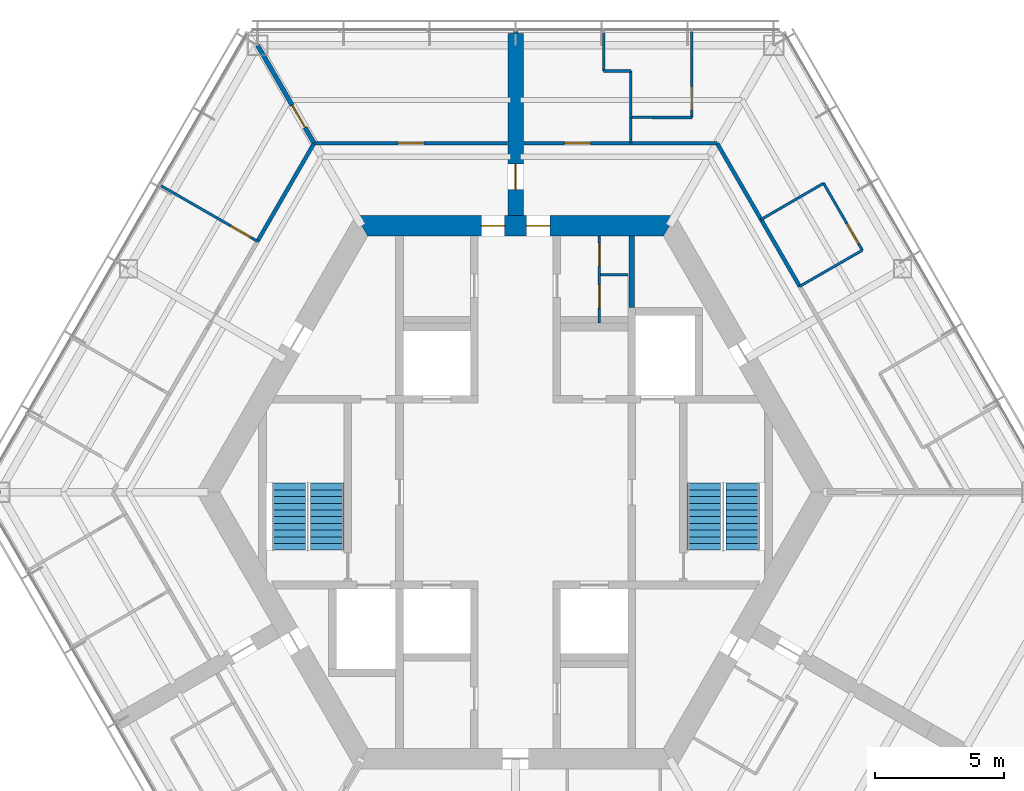
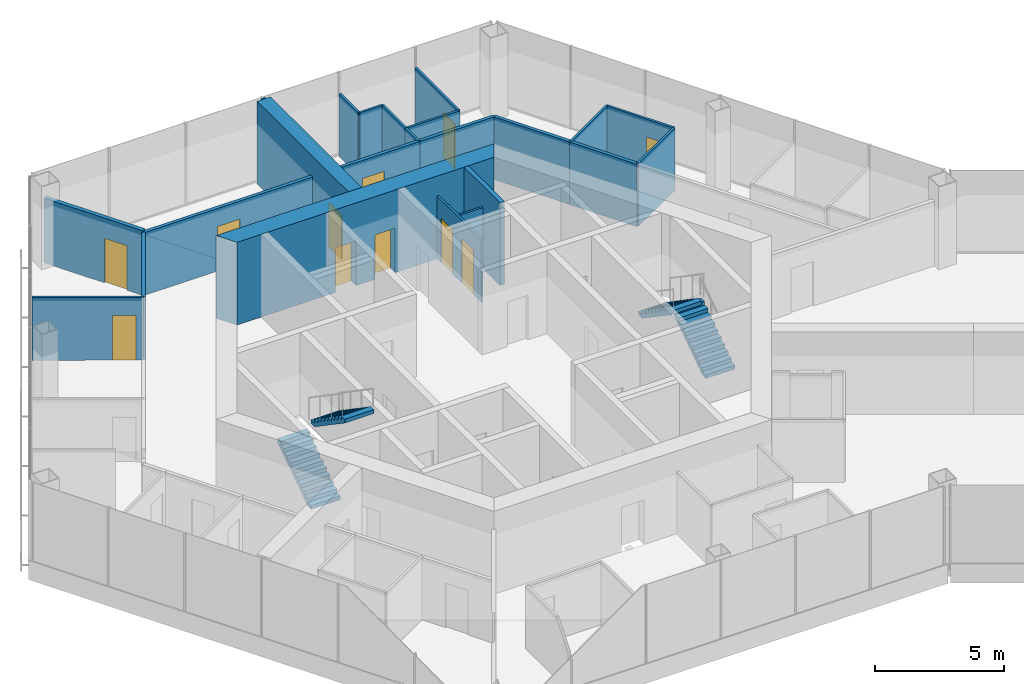
# One storey, part 14 of 17: 23 walls, 11 doors, 4 stair flights, 11 openings, 2 elements without a shape of their own.
"""IFC4 building model written with IfcOpenShell, lengths in metres."""

from ifc_helpers import new_model, si_unit, direction, frame, frame_2d, origin, place, context, subcontext, project, spatial, polyline, rectangle, outline, extrude, material, layer, layer_set, type_object, element, fill, aggregate, save


model = new_model("IFC4")

# Units and contexts
model_context = context("Model", 3, precision=1e-05, world=origin(), true_north=direction((0.0, 1.0)))
body_context = subcontext(model_context, "Body", "Model", "MODEL_VIEW")
ifc_project = project(units=[si_unit("LENGTHUNIT", "METRE"), si_unit("AREAUNIT", "SQUARE_METRE"), si_unit("VOLUMEUNIT", "CUBIC_METRE"), si_unit("PLANEANGLEUNIT", "RADIAN"), si_unit("MASSUNIT", "GRAM", prefix="KILO")], contexts=[model_context])

# Site, building, storey
site_placement = place(None, origin())
site = spatial("IfcSite", under=ifc_project, at=site_placement, CompositionType="ELEMENT")
building_placement = place(site_placement, origin())
building = spatial("IfcBuilding", under=site, at=building_placement, Name="Kasaneha Research Tower", CompositionType="ELEMENT")
storey_placement = place(building_placement, frame((0.0, 0.0, 228.39990234375)))
storey = spatial("IfcBuildingStorey", under=building, at=storey_placement, Name="L57", CompositionType="ELEMENT", Elevation=228.39990234375)

# Wall, openings, doors
ifc_material_1 = material(Name="Concrete Fc60", Category="concrete")
ifc_layer_1 = layer(ifc_material_1, 0.800048828125)
ifc_layer_set_1 = layer_set([ifc_layer_1], Name="Core wall 800 Fc60")
wall_type_1 = type_object("IfcWallType", Name="Core wall 800 Fc60", PredefinedType="SHEAR", material=ifc_layer_set_1)
wall_1_placement = place(storey_placement, frame((5.961181640625, 10.324951171875, 0.0), z_axis=(0.0, 0.0, 1.0), x_axis=(-1.0, 0.0, 0.0)))
wall_1 = element("IfcWall", 1, at=wall_1_placement, inside=storey, type_object=wall_type_1, Name="Core wall 090 L57", PredefinedType="SHEAR", context=body_context, shape_type="SweptSolid", body=[
    extrude(outline(polyline([(-0.23095703125, -0.39990234375), (4.63623046875, -0.39990234375), (5.5361328125, -0.39990234375), (6.38623046875, -0.39990234375), (7.2861328125, -0.39990234375), (12.1533203125, -0.39990234375), (11.69140625, 0.39990234375), (7.2861328125, 0.39990234375), (6.38623046875, 0.39990234375), (5.5361328125, 0.39990234375), (4.63623046875, 0.39990234375), (0.23095703125, 0.39990234375), (-0.23095703125, -0.39990234375)])), origin(), (0.0, 0.0, 1.0), 3.900146484375),
])
opening_1_placement = place(wall_1_placement, frame((6.38623046875, 0.0, 0.0)))
opening_1 = element("IfcOpeningElement", 2, at=opening_1_placement, cuts=wall_1, Name="Opening L57-D01", PredefinedType="OPENING", context=body_context, shape_type="SweptSolid", body=[
    extrude(rectangle(XDim=0.89990234375, YDim=2.10009765625, at=frame_2d((0.449951171875, 1.050048828125))), frame((0.0, 0.41015625, 0.0), z_axis=(0.0, -1.0, 0.0), x_axis=(1.0, 0.0, 0.0)), (0.0, 0.0, 1.0), 0.820068359375),
])
opening_2_placement = place(wall_1_placement, frame((4.63623046875, 0.0, 0.0)))
opening_2 = element("IfcOpeningElement", 3, at=opening_2_placement, cuts=wall_1, Name="Opening L57-D02", PredefinedType="OPENING", context=body_context, shape_type="SweptSolid", body=[
    extrude(rectangle(XDim=0.89990234375, YDim=2.10009765625, at=frame_2d((0.449951171875, 1.050048828125))), frame((0.0, 0.41015625, 0.0), z_axis=(0.0, -1.0, 0.0), x_axis=(1.0, 0.0, 0.0)), (0.0, 0.0, 1.0), 0.820068359375),
])
ifc_material_2 = material(Name="Steel", Category="steel")
door_type_1 = type_object("IfcDoorType", Name="Toilet door FD20 900x2100", OperationType="NOTDEFINED", PredefinedType="DOOR", material=ifc_material_2)
door_1_placement = place(opening_1_placement, origin())
door_1 = element("IfcDoor", 4, at=door_1_placement, inside=storey, type_object=door_type_1, Name="Core door north 1 L57-D01", OperationType="SINGLE_SWING_RIGHT", OverallHeight=2.10009765625, OverallWidth=0.89990234375, PredefinedType="DOOR", context=body_context, shape_type="SweptSolid", body=[
    extrude(rectangle(XDim=0.89990234375, YDim=2.10009765625, at=frame_2d((0.449951171875, 1.050048828125))), frame((0.0, 0.02490234375, 0.0), z_axis=(0.0, -1.0, 0.0), x_axis=(1.0, 0.0, 0.0)), (0.0, 0.0, 1.0), 0.050048828125),
])
fill(opening_1, door_1)
door_2_placement = place(opening_2_placement, origin())
door_2 = element("IfcDoor", 5, at=door_2_placement, inside=storey, type_object=door_type_1, Name="Core door north 2 L57-D02", OperationType="SINGLE_SWING_LEFT", OverallHeight=2.10009765625, OverallWidth=0.89990234375, PredefinedType="DOOR", context=body_context, shape_type="SweptSolid", body=[
    extrude(rectangle(XDim=0.89990234375, YDim=2.10009765625, at=frame_2d((0.449951171875, 1.050048828125))), frame((0.0, 0.02490234375, 0.0), z_axis=(0.0, -1.0, 0.0), x_axis=(1.0, 0.0, 0.0)), (0.0, 0.0, 1.0), 0.050048828125),
])
fill(opening_2, door_2)

ifc_material_3 = material(Name="Gypsum board on steel studs, one layer each side", Category="steel")
ifc_layer_2 = layer(ifc_material_3, 0.10009765625)
ifc_layer_set_2 = layer_set([ifc_layer_2], Name="Office partition 100")
wall_type_2 = type_object("IfcWallType", Name="Office partition 100", PredefinedType="PARTITIONING", material=ifc_layer_set_2)
wall_2_placement = place(storey_placement, frame((3.25, 6.550048828125, 0.0), z_axis=(0.0, 0.0, 1.0), x_axis=(0.0, 1.0, 0.0)))
wall_2 = element("IfcWall", 6, at=wall_2_placement, inside=storey, type_object=wall_type_2, Name="Office partition TBF1 L57", PredefinedType="PARTITIONING", context=body_context, shape_type="SweptSolid", body=[
    extrude(rectangle(XDim=3.375, YDim=0.10009765625, at=frame_2d((1.6875, 0.0))), origin(), (0.0, 0.0, 1.0), 2.9501953125),
])
opening_3_placement = place(wall_2_placement, frame((0.58740234375, 0.0, 0.0)))
opening_3 = element("IfcOpeningElement", 7, at=opening_3_placement, cuts=wall_2, Name="Opening L57-D21", PredefinedType="OPENING", context=body_context, shape_type="SweptSolid", body=[
    extrude(rectangle(XDim=0.89990234375, YDim=2.10009765625, at=frame_2d((0.449951171875, 1.050048828125))), frame((0.0, 0.06005859375, 0.0), z_axis=(0.0, -1.0, 0.0), x_axis=(1.0, 0.0, 0.0)), (0.0, 0.0, 1.0), 0.1201171875),
])
opening_4_placement = place(wall_2_placement, frame((2.199951171875, 0.0, 0.0)))
opening_4 = element("IfcOpeningElement", 8, at=opening_4_placement, cuts=wall_2, Name="Opening L57-D22", PredefinedType="OPENING", context=body_context, shape_type="SweptSolid", body=[
    extrude(rectangle(XDim=0.89990234375, YDim=2.10009765625, at=frame_2d((0.449951171875, 1.050048828125))), frame((0.0, 0.06005859375, 0.0), z_axis=(0.0, -1.0, 0.0), x_axis=(1.0, 0.0, 0.0)), (0.0, 0.0, 1.0), 0.1201171875),
])
ifc_material_4 = material(Name="Steel", Category="steel")
door_type_2 = type_object("IfcDoorType", Name="Toilet lobby door FD30 900x2100", OperationType="NOTDEFINED", PredefinedType="DOOR", material=ifc_material_4)
door_3_placement = place(opening_3_placement, origin())
door_3 = element("IfcDoor", 9, at=door_3_placement, inside=storey, type_object=door_type_2, Name="Women's WC door L57-D21", OperationType="SINGLE_SWING_RIGHT", OverallHeight=2.10009765625, OverallWidth=0.89990234375, PredefinedType="DOOR", context=body_context, shape_type="SweptSolid", body=[
    extrude(rectangle(XDim=0.89990234375, YDim=2.10009765625, at=frame_2d((0.449951171875, 1.050048828125))), frame((0.0, 0.02490234375, 0.0), z_axis=(0.0, -1.0, 0.0), x_axis=(1.0, 0.0, 0.0)), (0.0, 0.0, 1.0), 0.050048828125),
])
fill(opening_3, door_3)
door_4_placement = place(opening_4_placement, origin())
door_4 = element("IfcDoor", 10, at=door_4_placement, inside=storey, type_object=door_type_2, Name="Cleaner's store door L57-D22", OperationType="SINGLE_SWING_RIGHT", OverallHeight=2.10009765625, OverallWidth=0.89990234375, PredefinedType="DOOR", context=body_context, shape_type="SweptSolid", body=[
    extrude(rectangle(XDim=0.89990234375, YDim=2.10009765625, at=frame_2d((0.449951171875, 1.050048828125))), frame((0.0, 0.02490234375, 0.0), z_axis=(0.0, -1.0, 0.0), x_axis=(1.0, 0.0, 0.0)), (0.0, 0.0, 1.0), 0.050048828125),
])
fill(opening_4, door_4)

# Walls
for number, where, z_axis, x_axis, name in (
    (11, (3.300048828125, 8.425048828125, 0.0), (0.0, 0.0, 1.0), (1.0, 0.0, 0.0), "Office partition TBF2 L57"),
    (12, (3.4150390625, 16.324951171875, 0.0), (0.0, 0.0, 1.0), (1.0, 0.0, 0.0), "Office partition FAE06 L57"),
):
    element("IfcWall", number, at=place(storey_placement, frame(where, z_axis=z_axis, x_axis=x_axis)), inside=storey, type_object=wall_type_2, Name=name, PredefinedType="PARTITIONING", context=body_context, shape_type="SweptSolid", body=[
        extrude(rectangle(XDim=1.050048828125, YDim=0.10009765625, at=frame_2d((0.52490234375, 0.0))), origin(), (0.0, 0.0, 1.0), 2.9501953125),
    ])
wall_3_placement = place(storey_placement, frame((3.4150390625, 17.800537109375, 0.0), z_axis=(0.0, 0.0, 1.0), x_axis=(0.0, -1.0, 0.0)))
element("IfcWall", 13, at=wall_3_placement, inside=storey, type_object=wall_type_2, Name="Office partition FAE07 L57", PredefinedType="PARTITIONING", context=body_context, shape_type="SweptSolid", body=[
    extrude(rectangle(XDim=1.4755859375, YDim=0.10009765625, at=frame_2d((0.73779296875, 0.0))), origin(), (0.0, 0.0, 1.0), 2.9501953125),
])
wall_4_placement = place(storey_placement, frame((4.465087890625, 16.324951171875, 0.0), z_axis=(0.0, 0.0, 1.0), x_axis=(0.0, -1.0, 0.0)))
element("IfcWall", 14, at=wall_4_placement, inside=storey, type_object=wall_type_2, Name="Office partition FAE08 L57", PredefinedType="PARTITIONING", context=body_context, shape_type="SweptSolid", body=[
    extrude(rectangle(XDim=1.8095703125, YDim=0.10009765625, at=frame_2d((0.90478515625, 0.0))), origin(), (0.0, 0.0, 1.0), 2.9501953125),
])
wall_5_placement = place(storey_placement, frame((4.465087890625, 14.52490234375, 0.0), z_axis=(0.0, 0.0, 1.0), x_axis=(-0.00463862197, -0.999989241535, 0.0)))
element("IfcWall", 15, at=wall_5_placement, inside=storey, type_object=wall_type_2, Name="Office partition FAE09 L57", PredefinedType="PARTITIONING", context=body_context, shape_type="SweptSolid", body=[
    extrude(rectangle(XDim=1.0, YDim=0.10009765625, at=frame_2d((0.5, 0.0))), origin(), (0.0, 0.0, 1.0), 2.9501953125),
])
wall_6_placement = place(storey_placement, frame((9.51513671875, 10.569091796875, 0.0), z_axis=(0.0, 0.0, 1.0), x_axis=(0.865255114713, 0.501331812737, 0.0)))
element("IfcWall", 16, at=wall_6_placement, inside=storey, type_object=wall_type_2, Name="Office partition FAE10 L57", PredefinedType="PARTITIONING", context=body_context, shape_type="SweptSolid", body=[
    extrude(rectangle(XDim=2.800048828125, YDim=0.10009765625, at=frame_2d((1.39990234375, 0.0))), origin(), (0.0, 0.0, 1.0), 2.9501953125),
])

# Wall, opening, door
wall_7_placement = place(storey_placement, frame((11.93798828125, 11.972900390625, 0.0), z_axis=(0.0, 0.0, 1.0), x_axis=(0.50002537861, -0.866010750942, 0.0)))
wall_7 = element("IfcWall", 17, at=wall_7_placement, inside=storey, type_object=wall_type_2, Name="Office partition FAE11 L57", PredefinedType="PARTITIONING", context=body_context, shape_type="SweptSolid", body=[
    extrude(rectangle(XDim=2.999755859375, YDim=0.10009765625, at=frame_2d((1.5, 0.0))), origin(), (0.0, 0.0, 1.0), 2.9501953125),
])
opening_5_placement = place(wall_7_placement, frame((1.800048828125, 0.0, 0.0)))
opening_5 = element("IfcOpeningElement", 18, at=opening_5_placement, cuts=wall_7, Name="Opening L57-D28", PredefinedType="OPENING", context=body_context, shape_type="SweptSolid", body=[
    extrude(rectangle(XDim=0.89990234375, YDim=2.10009765625, at=frame_2d((0.449951171875, 1.050048828125))), frame((0.0, 0.06005859375, 0.0), z_axis=(0.0, -1.0, 0.0), x_axis=(1.0, 0.0, 0.0)), (0.0, 0.0, 1.0), 0.1201171875),
])
ifc_material_5 = material(Name="Timber veneer", Category="wood")
door_type_3 = type_object("IfcDoorType", Name="Office door 900x2100", OperationType="SINGLE_SWING_LEFT", PredefinedType="DOOR", material=ifc_material_5)
door_5_placement = place(opening_5_placement, origin())
door_5 = element("IfcDoor", 19, at=door_5_placement, inside=storey, type_object=door_type_3, Name="Pantry door L57-D28", OperationType="SINGLE_SWING_RIGHT", OverallHeight=2.10009765625, OverallWidth=0.89990234375, PredefinedType="DOOR", context=body_context, shape_type="SweptSolid", body=[
    extrude(rectangle(XDim=0.89990234375, YDim=2.10009765625, at=frame_2d((0.449951171875, 1.050048828125))), frame((0.0, 0.02490234375, 0.0), z_axis=(0.0, -1.0, 0.0), x_axis=(1.0, 0.0, 0.0)), (0.0, 0.0, 1.0), 0.050048828125),
])
fill(opening_5, door_5)

# Walls
wall_8_placement = place(storey_placement, frame((13.43798828125, 9.375, 0.0), z_axis=(0.0, 0.0, 1.0), x_axis=(-0.866817750494, -0.498625097071, 0.0)))
element("IfcWall", 20, at=wall_8_placement, inside=storey, type_object=wall_type_2, Name="Office partition FAE12 L57", PredefinedType="PARTITIONING", context=body_context, shape_type="SweptSolid", body=[
    extrude(rectangle(XDim=2.80029296875, YDim=0.10009765625, at=frame_2d((1.400146484375, 0.0))), origin(), (0.0, 0.0, 1.0), 2.9501953125),
])
wall_9_placement = place(storey_placement, frame((6.830810546875, 14.5205078125, 0.0), z_axis=(0.0, 0.0, 1.0), x_axis=(-0.999998274693, 0.001857581934, 0.0)))
element("IfcWall", 21, at=wall_9_placement, inside=storey, type_object=wall_type_2, Name="Office partition FAE16 L57", PredefinedType="PARTITIONING", context=body_context, shape_type="SweptSolid", body=[
    extrude(rectangle(XDim=2.36572265625, YDim=0.10009765625, at=frame_2d((1.182861328125, 0.0))), origin(), (0.0, 0.0, 1.0), 2.9501953125),
])

# Wall, opening, door
wall_10_placement = place(storey_placement, frame((6.830810546875, 17.85546875, 0.0), z_axis=(0.0, 0.0, 1.0), x_axis=(0.0, -1.0, 0.0)))
wall_10 = element("IfcWall", 22, at=wall_10_placement, inside=storey, type_object=wall_type_2, Name="Office partition FAE17 L57", PredefinedType="PARTITIONING", context=body_context, shape_type="SweptSolid", body=[
    extrude(rectangle(XDim=3.3349609375, YDim=0.10009765625, at=frame_2d((1.66748046875, 0.0))), origin(), (0.0, 0.0, 1.0), 2.9501953125),
])
opening_6_placement = place(wall_10_placement, frame((2.135009765625, 0.0, 0.0)))
opening_6 = element("IfcOpeningElement", 23, at=opening_6_placement, cuts=wall_10, Name="Opening L57-D30", PredefinedType="OPENING", context=body_context, shape_type="SweptSolid", body=[
    extrude(rectangle(XDim=0.89990234375, YDim=2.10009765625, at=frame_2d((0.449951171875, 1.050048828125))), frame((0.0, 0.06005859375, 0.0), z_axis=(0.0, -1.0, 0.0), x_axis=(1.0, 0.0, 0.0)), (0.0, 0.0, 1.0), 0.1201171875),
])
door_6_placement = place(opening_6_placement, origin())
door_6 = element("IfcDoor", 24, at=door_6_placement, inside=storey, type_object=door_type_3, Name="Manager's office door L57-D30", OperationType="SINGLE_SWING_RIGHT", OverallHeight=2.10009765625, OverallWidth=0.89990234375, PredefinedType="DOOR", context=body_context, shape_type="SweptSolid", body=[
    extrude(rectangle(XDim=0.89990234375, YDim=2.10009765625, at=frame_2d((0.449951171875, 1.050048828125))), frame((0.0, 0.02490234375, 0.0), z_axis=(0.0, -1.0, 0.0), x_axis=(1.0, 0.0, 0.0)), (0.0, 0.0, 1.0), 0.050048828125),
])
fill(opening_6, door_6)

wall_11_placement = place(storey_placement, frame((-10.0029296875, 9.724365234375, 0.0), z_axis=(0.0, 0.0, 1.0), x_axis=(-0.866566724083, 0.499061231426, 0.0)))
wall_11 = element("IfcWall", 25, at=wall_11_placement, inside=storey, type_object=wall_type_2, Name="Office partition FBN10 L57", PredefinedType="PARTITIONING", context=body_context, shape_type="SweptSolid", body=[
    extrude(rectangle(XDim=4.305419921875, YDim=0.10009765625, at=frame_2d((2.15283203125, 0.0))), origin(), (0.0, 0.0, 1.0), 2.9501953125),
])
opening_7_placement = place(wall_11_placement, frame((0.300048828125, 0.0, 0.0)))
opening_7 = element("IfcOpeningElement", 26, at=opening_7_placement, cuts=wall_11, Name="Opening L57-D36", PredefinedType="OPENING", context=body_context, shape_type="SweptSolid", body=[
    extrude(rectangle(XDim=0.89990234375, YDim=2.10009765625, at=frame_2d((0.449951171875, 1.050048828125))), frame((0.0, 0.06005859375, 0.0), z_axis=(0.0, -1.0, 0.0), x_axis=(1.0, 0.0, 0.0)), (0.0, 0.0, 1.0), 0.1201171875),
])
door_7_placement = place(opening_7_placement, origin())
door_7 = element("IfcDoor", 27, at=door_7_placement, inside=storey, type_object=door_type_3, Name="Reception room door L57-D36", OperationType="SINGLE_SWING_LEFT", OverallHeight=2.10009765625, OverallWidth=0.89990234375, PredefinedType="DOOR", context=body_context, shape_type="SweptSolid", body=[
    extrude(rectangle(XDim=0.89990234375, YDim=2.10009765625, at=frame_2d((0.449951171875, 1.050048828125))), frame((0.0, 0.02490234375, 0.0), z_axis=(0.0, -1.0, 0.0), x_axis=(1.0, 0.0, 0.0)), (0.0, 0.0, 1.0), 0.050048828125),
])
fill(opening_7, door_7)

# Wall
ifc_material_6 = material(Name="Concrete block", Category="concrete")
ifc_layer_3 = layer(ifc_material_6, 0.199951171875)
ifc_layer_set_3 = layer_set([ifc_layer_3], Name="Riser enclosure wall 200")
wall_type_3 = type_object("IfcWallType", Name="Riser enclosure wall 200", PredefinedType="STANDARD", material=ifc_layer_set_3)
wall_12_placement = place(storey_placement, frame((4.5, 7.14990234375, 0.0), z_axis=(0.0, 0.0, 1.0), x_axis=(0.0, 1.0, 0.0)))
element("IfcWall", 28, at=wall_12_placement, inside=storey, type_object=wall_type_3, Name="Riser enclosure wall L57", PredefinedType="STANDARD", context=body_context, shape_type="SweptSolid", body=[
    extrude(rectangle(XDim=2.775146484375, YDim=0.199951171875, at=frame_2d((1.3876953125, 0.0))), origin(), (0.0, 0.0, 1.0), 3.900146484375),
])

# Wall, opening, door
ifc_material_7 = material(Name="Concrete Fc60", Category="concrete")
ifc_layer_4 = layer(ifc_material_7, 0.60009765625)
ifc_layer_set_4 = layer_set([ifc_layer_4], Name="Spine wall 600 Fc60")
wall_type_4 = type_object("IfcWallType", Name="Spine wall 600 Fc60", PredefinedType="SHEAR", material=ifc_layer_set_4)
wall_13_placement = place(storey_placement, frame((0.0, 10.72509765625, 0.0), z_axis=(0.0, 0.0, 1.0), x_axis=(0.0, 1.0, 0.0)))
wall_13 = element("IfcWall", 29, at=wall_13_placement, inside=storey, type_object=wall_type_4, Name="Spine wall A L57", PredefinedType="SHEAR", context=body_context, shape_type="SweptSolid", body=[
    extrude(rectangle(XDim=7.04541015625, YDim=0.60009765625, at=frame_2d((3.522705078125, 0.0))), origin(), (0.0, 0.0, 1.0), 3.900146484375),
])
opening_8_placement = place(wall_13_placement, frame((1.0, 0.0, 0.0)))
opening_8 = element("IfcOpeningElement", 30, at=opening_8_placement, cuts=wall_13, Name="Opening L57-D18", PredefinedType="OPENING", context=body_context, shape_type="SweptSolid", body=[
    extrude(rectangle(XDim=1.0, YDim=2.10009765625, at=frame_2d((0.5, 1.050048828125))), frame((0.0, 0.31005859375, 0.0), z_axis=(0.0, -1.0, 0.0), x_axis=(1.0, 0.0, 0.0)), (0.0, 0.0, 1.0), 0.6201171875),
])
ifc_material_8 = material(Name="Steel", Category="steel")
door_type_4 = type_object("IfcDoorType", Name="Specified fire door FD60 1000x2100", OperationType="NOTDEFINED", PredefinedType="DOOR", material=ifc_material_8)
door_8_placement = place(opening_8_placement, origin())
door_8 = element("IfcDoor", 31, at=door_8_placement, inside=storey, type_object=door_type_4, Name="Spine doorway A L57-D18", OperationType="SINGLE_SWING_LEFT", OverallHeight=2.10009765625, OverallWidth=1.0, PredefinedType="DOOR", context=body_context, shape_type="SweptSolid", body=[
    extrude(rectangle(XDim=1.0, YDim=2.10009765625, at=frame_2d((0.5, 1.050048828125))), frame((0.0, 0.02490234375, 0.0), z_axis=(0.0, -1.0, 0.0), x_axis=(1.0, 0.0, 0.0)), (0.0, 0.0, 1.0), 0.050048828125),
])
fill(opening_8, door_8)

ifc_material_9 = material(Name="Gypsum board on steel studs, two layers each side", Category="steel")
ifc_layer_5 = layer(ifc_material_9, 0.14990234375)
ifc_layer_set_5 = layer_set([ifc_layer_5], Name="Suite partition 150")
wall_type_5 = type_object("IfcWallType", Name="Suite partition 150", PredefinedType="PARTITIONING", material=ifc_layer_set_5)
wall_14_placement = place(storey_placement, frame((0.320068359375, 13.52490234375, 0.0), z_axis=(0.0, 0.0, 1.0), x_axis=(1.0, 0.0, 0.0)))
wall_14 = element("IfcWall", 32, at=wall_14_placement, inside=storey, type_object=wall_type_5, Name="Suite partition FAE01 L57", PredefinedType="PARTITIONING", context=body_context, shape_type="SweptSolid", body=[
    extrude(rectangle(XDim=4.14990234375, YDim=0.14990234375, at=frame_2d((2.074951171875, 0.0))), origin(), (0.0, 0.0, 1.0), 2.9501953125),
])
opening_9_placement = place(wall_14_placement, frame((1.574951171875, 0.0, 0.0)))
opening_9 = element("IfcOpeningElement", 33, at=opening_9_placement, cuts=wall_14, Name="Opening L57-D26", PredefinedType="OPENING", context=body_context, shape_type="SweptSolid", body=[
    extrude(rectangle(XDim=1.0, YDim=2.10009765625, at=frame_2d((0.5, 1.050048828125))), frame((0.0, 0.0849609375, 0.0), z_axis=(0.0, -1.0, 0.0), x_axis=(1.0, 0.0, 0.0)), (0.0, 0.0, 1.0), 0.169921875),
])
ifc_material_10 = material(Name="Steel", Category="steel")
door_type_5 = type_object("IfcDoorType", Name="Suite entrance door FD60 1000x2100", OperationType="NOTDEFINED", PredefinedType="DOOR", material=ifc_material_10)
door_9_placement = place(opening_9_placement, origin())
door_9 = element("IfcDoor", 34, at=door_9_placement, inside=storey, type_object=door_type_5, Name="Suite entrance door L57-D26", OperationType="SINGLE_SWING_RIGHT", OverallHeight=2.10009765625, OverallWidth=1.0, PredefinedType="DOOR", context=body_context, shape_type="SweptSolid", body=[
    extrude(rectangle(XDim=1.0, YDim=2.10009765625, at=frame_2d((0.5, 1.050048828125))), frame((0.0, 0.02490234375, 0.0), z_axis=(0.0, -1.0, 0.0), x_axis=(1.0, 0.0, 0.0)), (0.0, 0.0, 1.0), 0.050048828125),
])
fill(opening_9, door_9)

# Walls
wall_15_placement = place(storey_placement, frame((9.510498046875, 10.577392578125, 0.0), z_axis=(0.0, 0.0, 1.0), x_axis=(0.499977562641, -0.866038357612, 0.0)))
element("IfcWall", 35, at=wall_15_placement, inside=storey, type_object=wall_type_5, Name="Suite partition FAE02 L57", PredefinedType="PARTITIONING", context=body_context, shape_type="SweptSolid", body=[
    extrude(rectangle(XDim=3.010009765625, YDim=0.14990234375, at=frame_2d((1.5048828125, 0.0))), origin(), (0.0, 0.0, 1.0), 2.9501953125),
])
wall_16_placement = place(storey_placement, frame((4.46044921875, 13.52490234375, 0.0), z_axis=(0.0, 0.0, 1.0), x_axis=(1.0, 0.0, 0.0)))
element("IfcWall", 36, at=wall_16_placement, inside=storey, type_object=wall_type_5, Name="Suite partition FAE03 L57", PredefinedType="PARTITIONING", context=body_context, shape_type="SweptSolid", body=[
    extrude(rectangle(XDim=3.34814453125, YDim=0.14990234375, at=frame_2d((1.674072265625, 0.0))), origin(), (0.0, 0.0, 1.0), 2.9501953125),
])
wall_17_placement = place(storey_placement, frame((7.80859375, 13.52490234375, 0.0), z_axis=(0.0, 0.0, 1.0), x_axis=(0.500001088571, -0.866024775297, 0.0)))
element("IfcWall", 37, at=wall_17_placement, inside=storey, type_object=wall_type_5, Name="Suite partition FAE04 L57", PredefinedType="PARTITIONING", context=body_context, shape_type="SweptSolid", body=[
    extrude(rectangle(XDim=3.4130859375, YDim=0.14990234375, at=frame_2d((1.70654296875, 0.0))), origin(), (0.0, 0.0, 1.0), 2.9501953125),
])

# Wall, opening, door
wall_18_placement = place(storey_placement, frame((-7.78564453125, 13.52490234375, 0.0), z_axis=(0.0, 0.0, 1.0), x_axis=(1.0, 0.0, 0.0)))
wall_18 = element("IfcWall", 38, at=wall_18_placement, inside=storey, type_object=wall_type_5, Name="Suite partition FAW01 L57", PredefinedType="PARTITIONING", context=body_context, shape_type="SweptSolid", body=[
    extrude(rectangle(XDim=7.465576171875, YDim=0.14990234375, at=frame_2d((3.73291015625, 0.0))), origin(), (0.0, 0.0, 1.0), 2.9501953125),
])
opening_10_placement = place(wall_18_placement, frame((3.23291015625, 0.0, 0.0)))
opening_10 = element("IfcOpeningElement", 39, at=opening_10_placement, cuts=wall_18, Name="Opening L57-D32", PredefinedType="OPENING", context=body_context, shape_type="SweptSolid", body=[
    extrude(rectangle(XDim=1.0, YDim=2.10009765625, at=frame_2d((0.5, 1.050048828125))), frame((0.0, 0.0849609375, 0.0), z_axis=(0.0, -1.0, 0.0), x_axis=(1.0, 0.0, 0.0)), (0.0, 0.0, 1.0), 0.169921875),
])
door_10_placement = place(opening_10_placement, origin())
door_10 = element("IfcDoor", 40, at=door_10_placement, inside=storey, type_object=door_type_5, Name="Suite entrance door L57-D32", OperationType="SINGLE_SWING_RIGHT", OverallHeight=2.10009765625, OverallWidth=1.0, PredefinedType="DOOR", context=body_context, shape_type="SweptSolid", body=[
    extrude(rectangle(XDim=1.0, YDim=2.10009765625, at=frame_2d((0.5, 1.050048828125))), frame((0.0, 0.02490234375, 0.0), z_axis=(0.0, -1.0, 0.0), x_axis=(1.0, 0.0, 0.0)), (0.0, 0.0, 1.0), 0.050048828125),
])
fill(opening_10, door_10)

# Wall
wall_19_placement = place(storey_placement, frame((-10.0078125, 9.716064453125, 0.0), z_axis=(0.0, 0.0, 1.0), x_axis=(0.500004234368, 0.866022959057, 0.0)))
element("IfcWall", 41, at=wall_19_placement, inside=storey, type_object=wall_type_5, Name="Suite partition FBN02 L57", PredefinedType="PARTITIONING", context=body_context, shape_type="SweptSolid", body=[
    extrude(rectangle(XDim=4.375, YDim=0.14990234375, at=frame_2d((2.1875, 0.0))), origin(), (0.0, 0.0, 1.0), 2.9501953125),
])

# Wall, opening, door
ifc_material_11 = material(Name="Gypsum board on steel studs, two layers each side", Category="steel")
ifc_layer_6 = layer(ifc_material_11, 0.175048828125)
ifc_layer_set_6 = layer_set([ifc_layer_6], Name="Tenancy fire partition 175")
wall_type_6 = type_object("IfcWallType", Name="Tenancy fire partition 175", PredefinedType="PARTITIONING", material=ifc_layer_set_6)
wall_20_placement = place(storey_placement, frame((-7.80859375, 13.52490234375, 0.0), z_axis=(0.0, 0.0, 1.0), x_axis=(-0.499997299682, 0.866026962808, 0.0)))
wall_20 = element("IfcWall", 42, at=wall_20_placement, inside=storey, type_object=wall_type_6, Name="Tenancy fire partition T120 L57", PredefinedType="PARTITIONING", context=body_context, shape_type="SweptSolid", body=[
    extrude(rectangle(XDim=4.3828125, YDim=0.175048828125, at=frame_2d((2.19140625, 0.0))), origin(), (0.0, 0.0, 1.0), 3.050048828125),
])
opening_11_placement = place(wall_20_placement, frame((0.699951171875, 0.0, 0.0)))
opening_11 = element("IfcOpeningElement", 43, at=opening_11_placement, cuts=wall_20, Name="Opening L57-D24", PredefinedType="OPENING", context=body_context, shape_type="SweptSolid", body=[
    extrude(rectangle(XDim=1.0, YDim=2.10009765625, at=frame_2d((0.5, 1.050048828125))), frame((0.0, 0.09765625, 0.0), z_axis=(0.0, -1.0, 0.0), x_axis=(1.0, 0.0, 0.0)), (0.0, 0.0, 1.0), 0.195068359375),
])
door_11_placement = place(opening_11_placement, origin())
door_11 = element("IfcDoor", 44, at=door_11_placement, inside=storey, type_object=door_type_5, Name="Connecting door L57-D24", OperationType="SINGLE_SWING_LEFT", OverallHeight=2.10009765625, OverallWidth=1.0, PredefinedType="DOOR", context=body_context, shape_type="SweptSolid", body=[
    extrude(rectangle(XDim=1.0, YDim=2.10009765625, at=frame_2d((0.5, 1.050048828125))), frame((0.0, 0.02490234375, 0.0), z_axis=(0.0, -1.0, 0.0), x_axis=(1.0, 0.0, 0.0)), (0.0, 0.0, 1.0), 0.050048828125),
])
fill(opening_11, door_11)

# Wall
wall_21_placement = place(storey_placement, frame((0.0, 17.7705078125, 0.0), z_axis=(0.0, 0.0, 1.0), x_axis=(0.0, 1.0, 0.0)))
element("IfcWall", 45, at=wall_21_placement, inside=storey, type_object=wall_type_6, Name="Spine wall closer SW4-600 L57", PredefinedType="PARTITIONING", context=body_context, shape_type="SweptSolid", body=[
    extrude(rectangle(XDim=0.0849609375, YDim=0.175048828125, at=frame_2d((0.04248046875, 0.0))), origin(), (0.0, 0.0, 1.0), 3.900146484375),
])

# Stair, stair flights
ifc_material_12 = material(Name="Concrete Fc24", Category="concrete")
stair_type = type_object("IfcStairType", Name="Half-turn stair 22 risers", PredefinedType="HALF_TURN_STAIR", material=ifc_material_12)
stair_1_placement = place(storey_placement, origin())
stair_1 = element("IfcStair", 46, at=stair_1_placement, inside=storey, type_object=stair_type, Name="Stair 1 L57", PredefinedType="HALF_TURN_STAIR")
ifc_material_13 = material(Name="Concrete Fc24", Category="concrete")
stair_flight_type = type_object("IfcStairFlightType", Name="Stair flight 11 risers 177.3", PredefinedType="STRAIGHT", material=ifc_material_13)
stair_flight_1_placement = place(storey_placement, frame((8.800048828125, -2.25, 0.0), z_axis=(0.0, 0.0, 1.0), x_axis=(0.0, 1.0, 0.0)))
stair_flight_1 = element("IfcStairFlight", 47, at=stair_flight_1_placement, type_object=stair_flight_type, Name="ST1-22R flight 1", NumberOfRisers=11, NumberOfTreads=10, PredefinedType="STRAIGHT", RiserHeight=0.177272727, TreadLength=0.26, context=body_context, shape_type="SweptSolid", body=[
    extrude(outline(polyline([(0.0, 0.0), (0.0, 0.17724609375), (0.260009765625, 0.17724609375), (0.260009765625, 0.3544921875), (0.52001953125, 0.3544921875), (0.52001953125, 0.53173828125), (0.780029296875, 0.53173828125), (0.780029296875, 0.708984375), (1.0400390625, 0.708984375), (1.0400390625, 0.886474609375), (1.300048828125, 0.886474609375), (1.300048828125, 1.063720703125), (1.56005859375, 1.063720703125), (1.56005859375, 1.240966796875), (1.820068359375, 1.240966796875), (1.820068359375, 1.418212890625), (2.080078125, 1.418212890625), (2.080078125, 1.595458984375), (2.340087890625, 1.595458984375), (2.340087890625, 1.772705078125), (2.60009765625, 1.772705078125), (2.60009765625, 1.949951171875), (2.60009765625, 1.59130859375), (0.26611328125, 0.0), (0.0, 0.0)])), frame((0.0, 0.64990234375, 0.0), z_axis=(0.0, -1.0, 0.0), x_axis=(1.0, 0.0, 0.0)), (0.0, 0.0, 1.0), 1.300048828125),
])
stair_flight_2_placement = place(storey_placement, frame((7.300048828125, 0.35009765625, 1.9501953125), z_axis=(0.0, 0.0, 1.0), x_axis=(0.0, -1.0, 0.0)))
stair_flight_2 = element("IfcStairFlight", 48, at=stair_flight_2_placement, type_object=stair_flight_type, Name="ST1-22R flight 2", NumberOfRisers=11, NumberOfTreads=10, PredefinedType="STRAIGHT", RiserHeight=0.177272727, TreadLength=0.26, context=body_context, shape_type="SweptSolid", body=[
    extrude(outline(polyline([(0.0, 0.0), (0.0, 0.17724609375), (0.260009765625, 0.17724609375), (0.260009765625, 0.3544921875), (0.52001953125, 0.3544921875), (0.52001953125, 0.53173828125), (0.780029296875, 0.53173828125), (0.780029296875, 0.708984375), (1.0400390625, 0.708984375), (1.0400390625, 0.886474609375), (1.300048828125, 0.886474609375), (1.300048828125, 1.063720703125), (1.56005859375, 1.063720703125), (1.56005859375, 1.240966796875), (1.820068359375, 1.240966796875), (1.820068359375, 1.418212890625), (2.080078125, 1.418212890625), (2.080078125, 1.595458984375), (2.340087890625, 1.595458984375), (2.340087890625, 1.772705078125), (2.60009765625, 1.772705078125), (2.60009765625, 1.949951171875), (2.60009765625, 1.59130859375), (0.26611328125, 0.0), (0.0, 0.0)])), frame((0.0, 0.64990234375, 0.0), z_axis=(0.0, -1.0, 0.0), x_axis=(1.0, 0.0, 0.0)), (0.0, 0.0, 1.0), 1.300048828125),
])
aggregate(stair_1, [stair_flight_1, stair_flight_2])

stair_2_placement = place(storey_placement, origin())
stair_2 = element("IfcStair", 49, at=stair_2_placement, inside=storey, type_object=stair_type, Name="Stair 2 L57", PredefinedType="HALF_TURN_STAIR")
stair_flight_3_placement = place(storey_placement, frame((-8.800048828125, -2.25, 0.0), z_axis=(0.0, 0.0, 1.0), x_axis=(0.0, 1.0, 0.0)))
stair_flight_3 = element("IfcStairFlight", 50, at=stair_flight_3_placement, type_object=stair_flight_type, Name="ST2-22R flight 1", NumberOfRisers=11, NumberOfTreads=10, PredefinedType="STRAIGHT", RiserHeight=0.177272727, TreadLength=0.26, context=body_context, shape_type="SweptSolid", body=[
    extrude(outline(polyline([(0.0, 0.0), (0.0, 0.17724609375), (0.260009765625, 0.17724609375), (0.260009765625, 0.3544921875), (0.52001953125, 0.3544921875), (0.52001953125, 0.53173828125), (0.780029296875, 0.53173828125), (0.780029296875, 0.708984375), (1.0400390625, 0.708984375), (1.0400390625, 0.886474609375), (1.300048828125, 0.886474609375), (1.300048828125, 1.063720703125), (1.56005859375, 1.063720703125), (1.56005859375, 1.240966796875), (1.820068359375, 1.240966796875), (1.820068359375, 1.418212890625), (2.080078125, 1.418212890625), (2.080078125, 1.595458984375), (2.340087890625, 1.595458984375), (2.340087890625, 1.772705078125), (2.60009765625, 1.772705078125), (2.60009765625, 1.949951171875), (2.60009765625, 1.59130859375), (0.26611328125, 0.0), (0.0, 0.0)])), frame((0.0, 0.64990234375, 0.0), z_axis=(0.0, -1.0, 0.0), x_axis=(1.0, 0.0, 0.0)), (0.0, 0.0, 1.0), 1.300048828125),
])
stair_flight_4_placement = place(storey_placement, frame((-7.300048828125, 0.35009765625, 1.9501953125), z_axis=(0.0, 0.0, 1.0), x_axis=(0.0, -1.0, 0.0)))
stair_flight_4 = element("IfcStairFlight", 51, at=stair_flight_4_placement, type_object=stair_flight_type, Name="ST2-22R flight 2", NumberOfRisers=11, NumberOfTreads=10, PredefinedType="STRAIGHT", RiserHeight=0.177272727, TreadLength=0.26, context=body_context, shape_type="SweptSolid", body=[
    extrude(outline(polyline([(0.0, 0.0), (0.0, 0.17724609375), (0.260009765625, 0.17724609375), (0.260009765625, 0.3544921875), (0.52001953125, 0.3544921875), (0.52001953125, 0.53173828125), (0.780029296875, 0.53173828125), (0.780029296875, 0.708984375), (1.0400390625, 0.708984375), (1.0400390625, 0.886474609375), (1.300048828125, 0.886474609375), (1.300048828125, 1.063720703125), (1.56005859375, 1.063720703125), (1.56005859375, 1.240966796875), (1.820068359375, 1.240966796875), (1.820068359375, 1.418212890625), (2.080078125, 1.418212890625), (2.080078125, 1.595458984375), (2.340087890625, 1.595458984375), (2.340087890625, 1.772705078125), (2.60009765625, 1.772705078125), (2.60009765625, 1.949951171875), (2.60009765625, 1.59130859375), (0.26611328125, 0.0), (0.0, 0.0)])), frame((0.0, 0.64990234375, 0.0), z_axis=(0.0, -1.0, 0.0), x_axis=(1.0, 0.0, 0.0)), (0.0, 0.0, 1.0), 1.300048828125),
])
aggregate(stair_2, [stair_flight_3, stair_flight_4])

save(model, "model.ifc")
